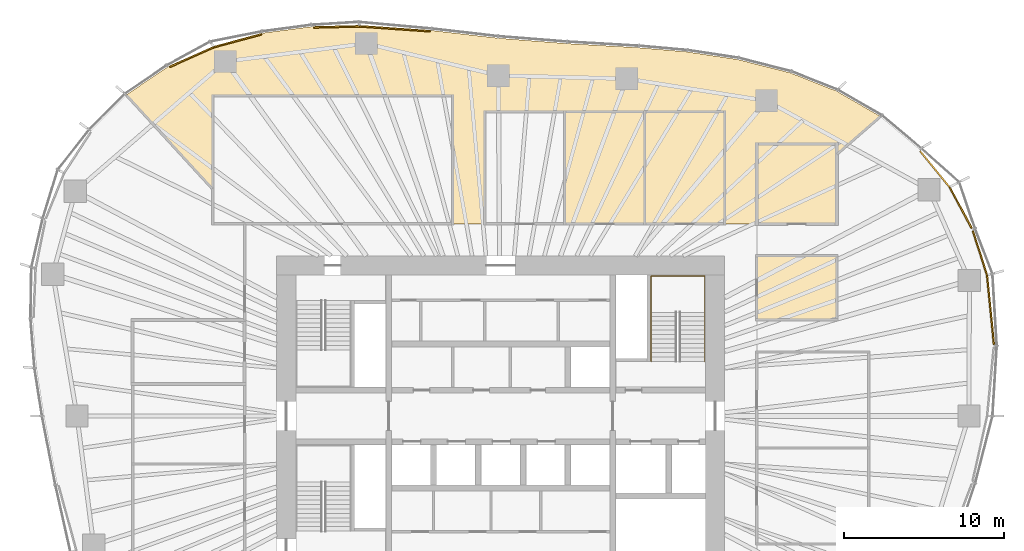
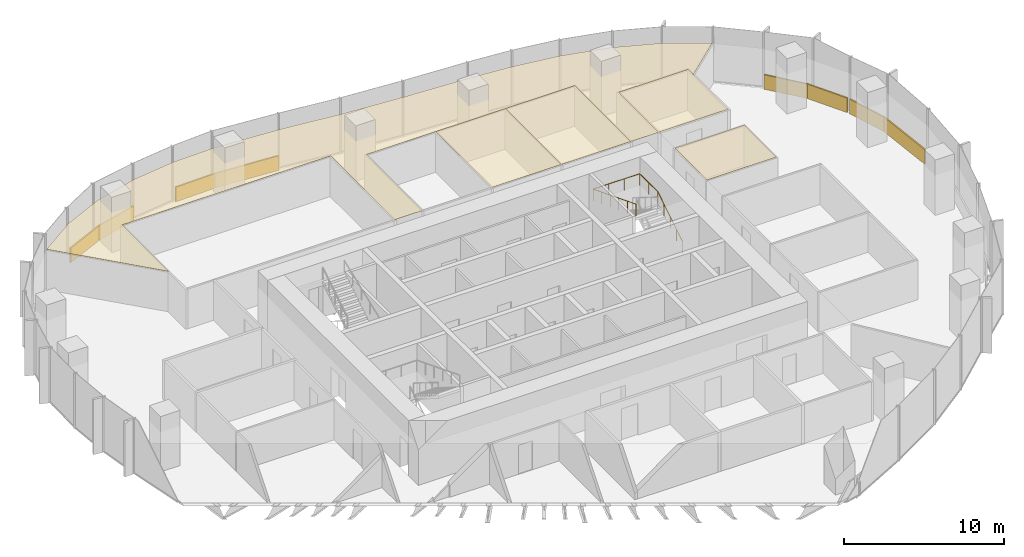
# One storey, part 18 of 18: 13 coverings, 1 railing.
"""IFC4 building model written with IfcOpenShell, lengths in metres."""

from ifc_helpers import new_model, si_unit, direction, frame, origin, origin_2d, place, context, subcontext, project, spatial, polyline, rectangle, circle, outline, extrude, material, layer, layer_set, type_object, element, save


model = new_model("IFC4")

# Units and contexts
model_context = context("Model", 3, precision=1e-05, world=origin(), true_north=direction((0.0, 1.0)))
body_context = subcontext(model_context, "Body", "Model", "MODEL_VIEW")
ifc_project = project(units=[si_unit("LENGTHUNIT", "METRE"), si_unit("AREAUNIT", "SQUARE_METRE"), si_unit("VOLUMEUNIT", "CUBIC_METRE"), si_unit("PLANEANGLEUNIT", "RADIAN"), si_unit("MASSUNIT", "GRAM", prefix="KILO")], contexts=[model_context])

# Site, building, storey
site_placement = place(None, origin())
site = spatial("IfcSite", under=ifc_project, at=site_placement, CompositionType="ELEMENT")
building_placement = place(site_placement, origin())
building = spatial("IfcBuilding", under=site, at=building_placement, Name="Ghaith Harvest Tower", CompositionType="ELEMENT")
storey_placement = place(building_placement, frame((0.0, 0.0, 147.0)))
storey = spatial("IfcBuildingStorey", under=building, at=storey_placement, Name="L31", CompositionType="ELEMENT", Elevation=147.0)

# Coverings
ifc_material_1 = material(Name="Mineral fibre ceiling tile", Category="gypsum")
ifc_layer_1 = layer(ifc_material_1, 0.02001953125)
ifc_layer_set_1 = layer_set([ifc_layer_1], Name="CEILING C1")
covering_type_1 = type_object("IfcCoveringType", Name="CEILING C1", PredefinedType="CEILING", material=ifc_layer_set_1)
covering_1_placement = place(storey_placement, frame((0.0, 0.0, 3.0)))
element("IfcCovering", 1, at=covering_1_placement, inside=storey, type_object=covering_type_1, Name="Ceiling L31-03", PredefinedType="CEILING", context=body_context, shape_type="SweptSolid", body=[
    extrude(outline(polyline([(4.0, 12.0), (9.0, 12.0), (9.0, 19.0), (4.0, 19.0), (4.0, 12.0)])), origin(), (0.0, 0.0, 1.0), 0.02001953125),
])
covering_2_placement = place(storey_placement, frame((0.0, 0.0, 3.0)))
element("IfcCovering", 2, at=covering_2_placement, inside=storey, type_object=covering_type_1, Name="Ceiling L31-04", PredefinedType="CEILING", context=body_context, shape_type="SweptSolid", body=[
    extrude(outline(polyline([(9.0, 12.0), (14.0, 12.0), (14.0, 19.0), (9.0, 19.0), (9.0, 12.0)])), origin(), (0.0, 0.0, 1.0), 0.02001953125),
])
covering_3_placement = place(storey_placement, frame((0.0, 0.0, 3.0)))
element("IfcCovering", 3, at=covering_3_placement, inside=storey, type_object=covering_type_1, Name="Ceiling L31-15", PredefinedType="CEILING", context=body_context, shape_type="SweptSolid", body=[
    extrude(outline(polyline([(16.0, 12.0), (21.0, 12.0), (21.0, 17.0), (16.0, 17.0), (16.0, 12.0)])), origin(), (0.0, 0.0, 1.0), 0.02001953125),
])
covering_4_placement = place(storey_placement, frame((0.0, 0.0, 3.0)))
element("IfcCovering", 4, at=covering_4_placement, inside=storey, type_object=covering_type_1, Name="Ceiling L31-16", PredefinedType="CEILING", context=body_context, shape_type="SweptSolid", body=[
    extrude(outline(polyline([(16.0, 6.0), (21.0, 6.0), (21.0, 10.0), (16.0, 10.0), (16.0, 6.0)])), origin(), (0.0, 0.0, 1.0), 0.02001953125),
])
covering_5_placement = place(storey_placement, frame((0.0, 0.0, 3.0)))
element("IfcCovering", 5, at=covering_5_placement, inside=storey, type_object=covering_type_1, Name="Ceiling L31-N1", PredefinedType="CEILING", context=body_context, shape_type="SweptSolid", body=[
    extrude(outline(polyline([(-20.79248046875, 21.82470703125), (-17.938232421875, 23.097412109375), (-14.860595703125, 23.927978515625), (-11.788818359375, 24.331787109375), (-8.814208984375, 24.404541015625), (-4.302001953125, 24.089111328125), (-0.16162109375, 23.609619140625), (4.125732421875, 23.272705078125), (8.604736328125, 23.017333984375), (11.617919921875, 22.757080078125), (14.79833984375, 22.27978515625), (18.0849609375, 21.4462890625), (20.97998046875, 20.3056640625), (23.7275390625, 18.718017578125), (21.0, 16.3466796875), (21.0, 17.0), (16.0, 17.0), (16.0, 12.0), (14.0, 12.0), (14.0, 19.0), (-1.0, 19.0), (-1.0, 12.0), (-3.0, 12.0), (-3.0, 20.0), (-18.0, 20.0), (-18.0, 14.17919921875), (-23.398193359375, 20.06103515625), (-20.79248046875, 21.82470703125)])), origin(), (0.0, 0.0, 1.0), 0.02001953125),
])

# Railing
ifc_material_2 = material(Name="Steel, black powder-coated", Category="steel")
railing_type = type_object("IfcRailingType", Name="HANDRAIL HR1", PredefinedType="HANDRAIL", material=ifc_material_2)
railing_placement = place(storey_placement, frame((12.75, 3.39990234375, 0.175048828125)))
element("IfcRailing", 6, at=railing_placement, inside=storey, type_object=railing_type, Name="Handrail HR1 stair ST2 L31 wall side", PredefinedType="HANDRAIL", context=body_context, shape_type="SweptSolid", body=[
    extrude(circle(Radius=0.02392578125, at=origin_2d()), frame((0.0, 0.0, 0.8759765625), z_axis=(0.0, 0.847998304005, 0.529998940003), x_axis=(-1.0, 0.0, 0.0)), (0.0, 0.0, 1.0), 3.632080078125),
    extrude(circle(Radius=0.02392578125, at=origin_2d()), frame((0.0, 3.080078125, 2.80078125), z_axis=(0.0, 1.0, 0.0), x_axis=(-1.0, 0.0, 0.0)), (0.0, 0.0, 1.0), 2.27001953125),
    extrude(circle(Radius=0.02392578125, at=origin_2d()), frame((0.0, 5.35009765625, 2.80078125), z_axis=(-1.0, 0.0, 0.0), x_axis=(0.0, -1.0, 0.0)), (0.0, 0.0, 1.0), 3.35009765625),
    extrude(circle(Radius=0.02392578125, at=origin_2d()), frame((-3.35009765625, 5.35009765625, 2.80078125), z_axis=(0.0, -0.930868132128, 0.365355334692), x_axis=(1.0, 0.0, 0.0)), (0.0, 0.0, 1.0), 5.747314453125),
    extrude(circle(Radius=0.02099609375, at=origin_2d()), origin(), (0.0, 0.0, 1.0), 0.851806640625),
    extrude(circle(Radius=0.02099609375, at=origin_2d()), frame((0.0, 0.77001953125, 0.481201171875)), (0.0, 0.0, 1.0), 0.851806640625),
    extrude(circle(Radius=0.02099609375, at=origin_2d()), frame((0.0, 1.5400390625, 0.96240234375)), (0.0, 0.0, 1.0), 0.851806640625),
    extrude(circle(Radius=0.02099609375, at=origin_2d()), frame((0.0, 2.31005859375, 1.44384765625)), (0.0, 0.0, 1.0), 0.851806640625),
    extrude(circle(Radius=0.02099609375, at=origin_2d()), frame((0.0, 3.080078125, 1.925048828125)), (0.0, 0.0, 1.0), 0.851806640625),
    extrude(circle(Radius=0.02099609375, at=origin_2d()), frame((0.0, 4.215087890625, 1.925048828125)), (0.0, 0.0, 1.0), 0.851806640625),
    extrude(circle(Radius=0.02099609375, at=origin_2d()), frame((0.0, 5.35009765625, 1.925048828125)), (0.0, 0.0, 1.0), 0.851806640625),
    extrude(circle(Radius=0.02099609375, at=origin_2d()), frame((-1.11669921875, 5.35009765625, 1.925048828125)), (0.0, 0.0, 1.0), 0.851806640625),
    extrude(circle(Radius=0.02099609375, at=origin_2d()), frame((-2.2333984375, 5.35009765625, 1.925048828125)), (0.0, 0.0, 1.0), 0.851806640625),
    extrude(circle(Radius=0.02099609375, at=origin_2d()), frame((-3.35009765625, 5.35009765625, 1.925048828125)), (0.0, 0.0, 1.0), 0.851806640625),
    extrude(circle(Radius=0.02099609375, at=origin_2d()), frame((-3.35009765625, 4.280029296875, 2.344970703125)), (0.0, 0.0, 1.0), 0.851806640625),
    extrude(circle(Radius=0.02099609375, at=origin_2d()), frame((-3.35009765625, 3.2099609375, 2.764892578125)), (0.0, 0.0, 1.0), 0.851806640625),
    extrude(circle(Radius=0.02099609375, at=origin_2d()), frame((-3.35009765625, 2.14013671875, 3.18505859375)), (0.0, 0.0, 1.0), 0.851806640625),
    extrude(circle(Radius=0.02099609375, at=origin_2d()), frame((-3.35009765625, 1.070068359375, 3.60498046875)), (0.0, 0.0, 1.0), 0.851806640625),
    extrude(circle(Radius=0.02099609375, at=origin_2d()), frame((-3.35009765625, 0.0, 4.02490234375)), (0.0, 0.0, 1.0), 0.851806640625),
])

# Coverings
ifc_material_3 = material(Name="Insulated aluminium spandrel panel on steel framing", Category="steel")
ifc_layer_2 = layer(ifc_material_3, 0.10009765625)
ifc_layer_set_2 = layer_set([ifc_layer_2], Name="SLAB EDGE UPSTAND 1100x100")
covering_type_2 = type_object("IfcCoveringType", Name="SLAB EDGE UPSTAND 1100x100", PredefinedType="CLADDING", material=ifc_layer_set_2)
covering_6_placement = place(storey_placement, frame((30.604736328125, 6.630126953125, 0.0), z_axis=(0.0, 0.0, 1.0), x_axis=(-0.099131765681, 0.995074315332, 0.0)))
element("IfcCovering", 7, at=covering_6_placement, inside=storey, type_object=covering_type_2, Name="Slab edge upstand 2 bay 01 L31", PredefinedType="CLADDING", context=body_context, shape_type="SweptSolid", body=[
    extrude(rectangle(XDim=4.346435546875, YDim=0.10009765625, at=origin_2d()), origin(), (0.0, 0.0, 1.0), 1.10009765625),
])
covering_7_placement = place(storey_placement, frame((29.948486328125, 10.171875, 0.0), z_axis=(0.0, 0.0, 1.0), x_axis=(-0.303716894855, 0.952762324916, 0.0)))
element("IfcCovering", 8, at=covering_7_placement, inside=storey, type_object=covering_type_2, Name="Slab edge upstand 1 bay 02 L31", PredefinedType="CLADDING", context=body_context, shape_type="SweptSolid", body=[
    extrude(rectangle(XDim=2.916748046875, YDim=0.10009765625, at=origin_2d()), origin(), (0.0, 0.0, 1.0), 1.10009765625),
])
for number, where, z_axis, x_axis, name in (
    (9, (28.738037109375, 13.018798828125, 0.0), (0.0, 0.0, 1.0), (-0.475408661811, 0.87976508471, 0.0), "Slab edge upstand 2 bay 02 L31"),
    (10, (27.127197265625, 15.4228515625, 0.0), (0.0, 0.0, 1.0), (-0.632969558548, 0.774176683937, 0.0), "Slab edge upstand 3 bay 02 L31"),
):
    element("IfcCovering", number, at=place(storey_placement, frame(where, z_axis=z_axis, x_axis=x_axis)), inside=storey, type_object=covering_type_2, Name=name, PredefinedType="CLADDING", context=body_context, shape_type="SweptSolid", body=[
        extrude(rectangle(XDim=2.91650390625, YDim=0.10009765625, at=origin_2d()), origin(), (0.0, 0.0, 1.0), 1.10009765625),
    ])
covering_8_placement = place(storey_placement, frame((-6.611572265625, 24.200439453125, 0.0), z_axis=(0.0, 0.0, 1.0), x_axis=(-0.997566199698, 0.069725728542, 0.0)))
element("IfcCovering", 11, at=covering_8_placement, inside=storey, type_object=covering_type_2, Name="Slab edge upstand 2 bay 06 L31", PredefinedType="CLADDING", context=body_context, shape_type="SweptSolid", body=[
    extrude(rectangle(XDim=4.42333984375, YDim=0.10009765625, at=origin_2d()), origin(), (0.0, 0.0, 1.0), 1.10009765625),
])
covering_9_placement = place(storey_placement, frame((-10.25048828125, 24.3193359375, 0.0), z_axis=(0.0, 0.0, 1.0), x_axis=(-0.999700846757, -0.024458474865, 0.0)))
element("IfcCovering", 12, at=covering_9_placement, inside=storey, type_object=covering_type_2, Name="Slab edge upstand 1 bay 07 L31", PredefinedType="CLADDING", context=body_context, shape_type="SweptSolid", body=[
    extrude(rectangle(XDim=2.87548828125, YDim=0.10009765625, at=origin_2d()), origin(), (0.0, 0.0, 1.0), 1.10009765625),
])
covering_10_placement = place(storey_placement, frame((-16.4345703125, 23.451416015625, 0.0), z_axis=(0.0, 0.0, 1.0), x_axis=(-0.965455035926, -0.260569709685, 0.0)))
element("IfcCovering", 13, at=covering_10_placement, inside=storey, type_object=covering_type_2, Name="Slab edge upstand 3 bay 07 L31", PredefinedType="CLADDING", context=body_context, shape_type="SweptSolid", body=[
    extrude(rectangle(XDim=3.087890625, YDim=0.10009765625, at=origin_2d()), origin(), (0.0, 0.0, 1.0), 1.10009765625),
])
covering_11_placement = place(storey_placement, frame((-19.29931640625, 22.435791015625, 0.0), z_axis=(0.0, 0.0, 1.0), x_axis=(-0.913334621001, -0.40720986, 0.0)))
element("IfcCovering", 14, at=covering_11_placement, inside=storey, type_object=covering_type_2, Name="Slab edge upstand 1 bay 08 L31", PredefinedType="CLADDING", context=body_context, shape_type="SweptSolid", body=[
    extrude(rectangle(XDim=3.025146484375, YDim=0.10009765625, at=origin_2d()), origin(), (0.0, 0.0, 1.0), 1.10009765625),
])

save(model, "model.ifc")
